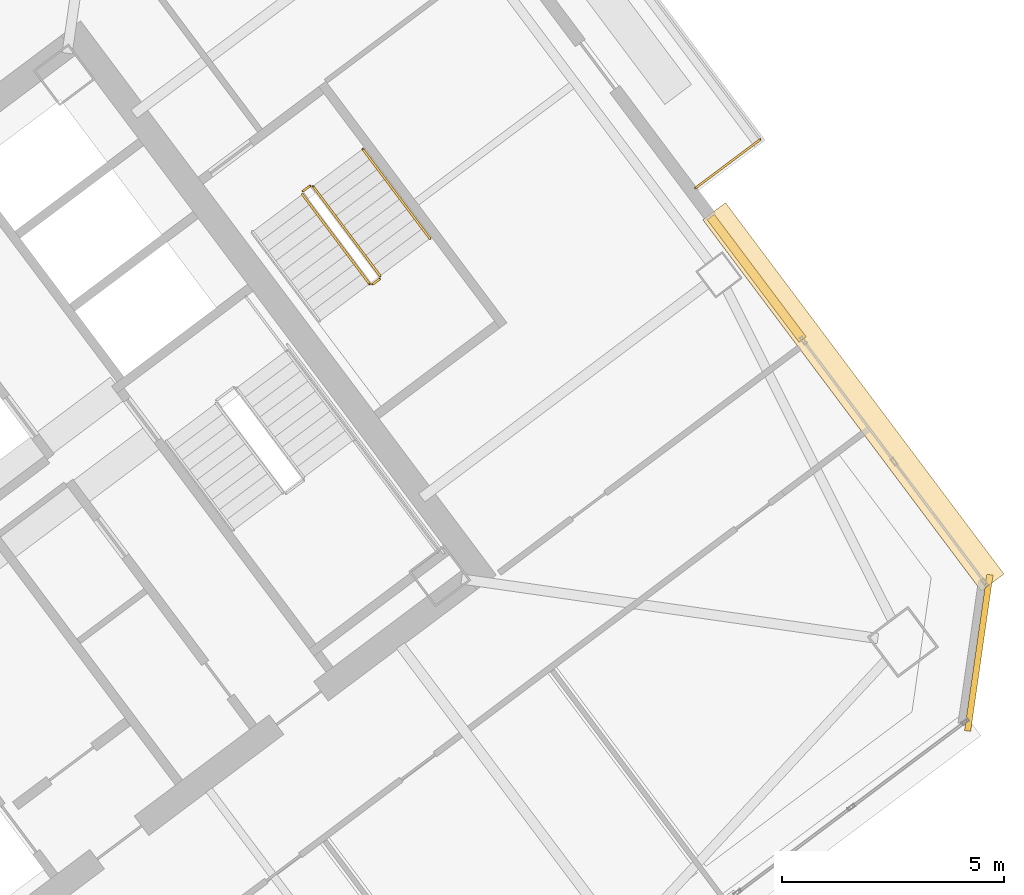
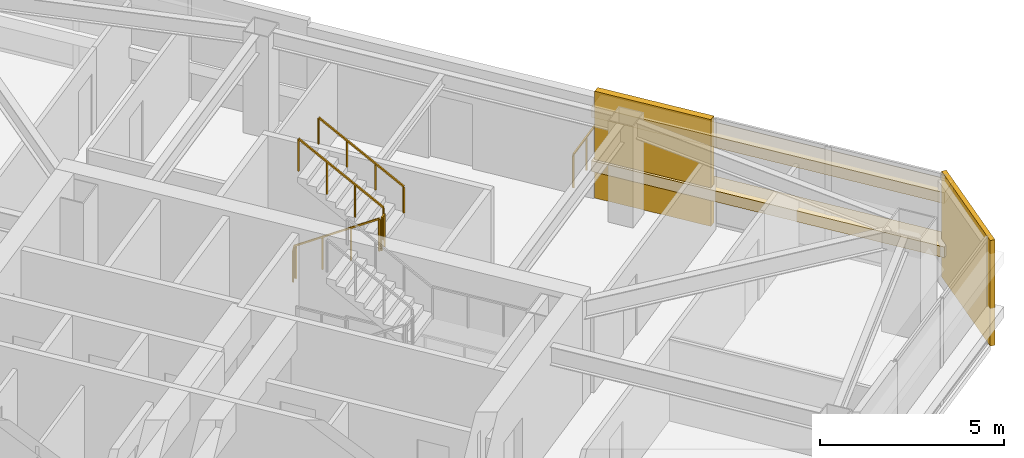
# One storey, part 42 of 43: 6 railings, 4 coverings.
"""IFC4 building model written with IfcOpenShell, lengths in metres."""

from ifc_helpers import new_model, si_unit, direction, frame, origin, origin_2d, place, context, subcontext, project, spatial, rectangle, extrude, material, layer, layer_set, type_object, element, save


model = new_model("IFC4")

# Units and contexts
model_context = context("Model", 3, precision=1e-05, world=origin(), true_north=direction((0.0, 1.0)))
body_context = subcontext(model_context, "Body", "Model", "MODEL_VIEW")
ifc_project = project(units=[si_unit("LENGTHUNIT", "METRE"), si_unit("AREAUNIT", "SQUARE_METRE"), si_unit("VOLUMEUNIT", "CUBIC_METRE"), si_unit("PLANEANGLEUNIT", "RADIAN"), si_unit("MASSUNIT", "GRAM", prefix="KILO")], contexts=[model_context])

# Site, building, storey
site_placement = place(None, origin())
site = spatial("IfcSite", under=ifc_project, at=site_placement, CompositionType="ELEMENT")
building_placement = place(site_placement, origin())
building = spatial("IfcBuilding", under=site, at=building_placement, Name="Tashvorn Skyway Center", CompositionType="ELEMENT")
storey_placement = place(building_placement, frame((0.0, 0.0, 185.39990234375)))
storey = spatial("IfcBuildingStorey", under=building, at=storey_placement, Name="L50", CompositionType="ELEMENT", Elevation=185.39990234375)

# Coverings
ifc_material_1 = material(Name="Precast concrete C40/50", Category="concrete")
ifc_layer_1 = layer(ifc_material_1, 0.199951171875)
ifc_layer_set_1 = layer_set([ifc_layer_1], Name="Precast concrete C40/50")
covering_type_1 = type_object("IfcCoveringType", Name="COV-BRACE-CLAD", PredefinedType="CLADDING", material=ifc_layer_set_1)
covering_1_placement = place(storey_placement, frame((131.007080078125, 37.290771484375, 0.0), z_axis=(0.0, 0.0, 1.0), x_axis=(0.600000004945, -0.799999996291, 0.0)))
element("IfcCovering", 1, at=covering_1_placement, inside=storey, type_object=covering_type_1, Name="Tower 2 L50 East Curtain Wall R Mega-Brace Cladding Band 1", PredefinedType="CLADDING", context=body_context, shape_type="SweptSolid", body=[
    extrude(rectangle(XDim=3.443359375, YDim=0.199951171875, at=origin_2d()), origin(), (0.0, 0.0, 1.0), 3.550048828125),
])
ifc_material_2 = material(Name="Perforated ceramic-coated bronze aluminium solar screen", Category="aluminium")
ifc_layer_2 = layer(ifc_material_2, 0.85009765625)
ifc_layer_set_2 = layer_set([ifc_layer_2], Name="Perforated ceramic-coated bronze aluminium solar screen")
covering_type_2 = type_object("IfcCoveringType", Name="COV-SOLAR-BAND", PredefinedType="CLADDING", material=ifc_layer_set_2)
for number, where, z_axis, x_axis, name in (
    (2, (133.18505859375, 34.6201171875, 0.919921875), (0.0, 0.0, 1.0), (0.600000004945, -0.799999996291, 0.0), "L50 Perforated Ceramic-Metal Solar Screen Louvre Band East 1"),
    (3, (133.18505859375, 34.6201171875, 2.72021484375), (0.0, 0.0, 1.0), (0.600000004945, -0.799999996291, 0.0), "L50 Perforated Ceramic-Metal Solar Screen Louvre Band East 2"),
):
    element("IfcCovering", number, at=place(storey_placement, frame(where, z_axis=z_axis, x_axis=x_axis)), inside=storey, type_object=covering_type_2, Name=name, PredefinedType="CLADDING", context=body_context, shape_type="SweptSolid", body=[
        extrude(rectangle(XDim=10.449951171875, YDim=0.639892578125, at=origin_2d()), origin(), (0.0, 0.0, 1.0), 0.360107421875),
    ])
ifc_layer_3 = layer(ifc_material_1, 0.35009765625)
ifc_layer_set_3 = layer_set([ifc_layer_3], Name="Precast concrete C40/50")
covering_type_3 = type_object("IfcCoveringType", Name="COV-STONE-TRIM", PredefinedType="CLADDING", material=ifc_layer_set_3)
covering_2_placement = place(storey_placement, frame((136.008056640625, 28.85595703125, 0.02001953125), z_axis=(0.0, 0.0, 1.0), x_axis=(0.141421350118, 0.989949494535, 0.0)))
element("IfcCovering", 4, at=covering_2_placement, inside=storey, type_object=covering_type_3, Name="Tower 2 L50 SE Mojave Limestone Corner Quoin", PredefinedType="CLADDING", context=body_context, shape_type="SweptSolid", body=[
    extrude(rectangle(XDim=3.55419921875, YDim=0.139892578125, at=origin_2d()), origin(), (0.0, 0.0, 1.0), 3.510009765625),
])

# Railings
ifc_material_3 = material(Name="Galvanized steel S355", Category="steel")
railing_type_1 = type_object("IfcRailingType", Name="RAIL-GUARD-1120", PredefinedType="GUARDRAIL", material=ifc_material_3)
railing_1_placement = place(storey_placement, frame((129.632080078125, 39.323974609375, 0.0)))
element("IfcRailing", 5, at=railing_1_placement, inside=storey, type_object=railing_type_1, Name="L50 Tower 2 Terrace Guardrail 01", PredefinedType="GUARDRAIL", context=body_context, shape_type="SweptSolid", body=[
    extrude(rectangle(XDim=0.048095703125, YDim=0.048095703125, at=origin_2d()), frame((0.0, 0.0, 1.09619140625), z_axis=(0.799951702488, 0.600064391284, 0.0), x_axis=(-0.600064391284, 0.799951702488, 0.0)), (0.0, 0.0, 1.0), 1.81982421875),
    extrude(rectangle(XDim=0.0419921875, YDim=0.0419921875, at=origin_2d()), origin(), (0.0, 0.0, 1.0), 1.072021484375),
    extrude(rectangle(XDim=0.0419921875, YDim=0.0419921875, at=origin_2d()), frame((0.72802734375, 0.5458984375, 0.0)), (0.0, 0.0, 1.0), 1.072021484375),
    extrude(rectangle(XDim=0.0419921875, YDim=0.0419921875, at=origin_2d()), frame((1.455810546875, 1.092041015625, 0.0)), (0.0, 0.0, 1.0), 1.072021484375),
])
ifc_material_4 = material(Name="Brushed stainless steel 316", Category="steel")
railing_type_2 = type_object("IfcRailingType", Name="RAIL-HAND-920", PredefinedType="HANDRAIL", material=ifc_material_4)
railing_2_placement = place(storey_placement, frame((123.64794921875, 38.18603515625, 1.95263671875)))
element("IfcRailing", 6, at=railing_2_placement, inside=storey, type_object=railing_type_2, Name="L50 ST-T2-3 stair handrail 2", PredefinedType="HANDRAIL", context=body_context, shape_type="SweptSolid", body=[
    extrude(rectangle(XDim=0.048095703125, YDim=0.048095703125, at=origin_2d()), frame((0.0, 0.0, 0.8759765625), z_axis=(-0.506768818287, 0.675664481285, 0.535409071218), x_axis=(-0.79998837352, -0.60001550166, 0.0)), (0.0, 0.0, 1.0), 2.983642578125),
    extrude(rectangle(XDim=0.0419921875, YDim=0.0419921875, at=origin_2d()), origin(), (0.0, 0.0, 1.0), 0.851806640625),
    extrude(rectangle(XDim=0.0419921875, YDim=0.0419921875, at=origin_2d()), frame((-0.50390625, 0.671875, 0.532470703125)), (0.0, 0.0, 1.0), 0.851806640625),
    extrude(rectangle(XDim=0.0419921875, YDim=0.0419921875, at=origin_2d()), frame((-1.008056640625, 1.343994140625, 1.06494140625)), (0.0, 0.0, 1.0), 0.851806640625),
    extrude(rectangle(XDim=0.0419921875, YDim=0.0419921875, at=origin_2d()), frame((-1.511962890625, 2.015869140625, 1.597412109375)), (0.0, 0.0, 1.0), 0.851806640625),
])
ifc_material_5 = material(Name="Painted galvanized steel S355", Category="steel")
railing_type_3 = type_object("IfcRailingType", Name="RAIL-STGUARD-1100", PredefinedType="GUARDRAIL", material=ifc_material_5)
railing_3_placement = place(storey_placement, frame((120.77587890625, 39.181884765625, 0.177490234375)))
element("IfcRailing", 7, at=railing_3_placement, inside=storey, type_object=railing_type_3, Name="L50 ST-T2-3 stair guard 1", PredefinedType="GUARDRAIL", context=body_context, shape_type="SweptSolid", body=[
    extrude(rectangle(XDim=0.048095703125, YDim=0.048095703125, at=origin_2d()), frame((0.0, 0.0, 1.076171875), z_axis=(0.506807425148, -0.675606863004, 0.535445235739), x_axis=(0.799941867976, 0.600077501544, 0.0)), (0.0, 0.0, 1.0), 2.98388671875),
    extrude(rectangle(XDim=0.0419921875, YDim=0.0419921875, at=origin_2d()), origin(), (0.0, 0.0, 1.0), 1.052001953125),
    extrude(rectangle(XDim=0.0419921875, YDim=0.0419921875, at=origin_2d()), frame((0.504150390625, -0.671875, 0.532470703125)), (0.0, 0.0, 1.0), 1.052001953125),
    extrude(rectangle(XDim=0.0419921875, YDim=0.0419921875, at=origin_2d()), frame((1.008056640625, -1.343994140625, 1.065185546875)), (0.0, 0.0, 1.0), 1.052001953125),
    extrude(rectangle(XDim=0.0419921875, YDim=0.0419921875, at=origin_2d()), frame((1.51220703125, -2.015869140625, 1.59765625)), (0.0, 0.0, 1.0), 1.052001953125),
])
railing_4_placement = place(storey_placement, frame((122.35791015625, 37.156005859375, 1.775146484375)))
element("IfcRailing", 8, at=railing_4_placement, inside=storey, type_object=railing_type_3, Name="L50 ST-T2-3 stair guard 2", PredefinedType="GUARDRAIL", context=body_context, shape_type="SweptSolid", body=[
    extrude(rectangle(XDim=0.048095703125, YDim=0.048095703125, at=origin_2d()), frame((0.0, 0.0, 1.076171875), z_axis=(0.800585412921, 0.599218655098, 0.0), x_axis=(-0.599218655098, 0.800585412921, 0.0)), (0.0, 0.0, 1.0), 0.199951171875),
    extrude(rectangle(XDim=0.0419921875, YDim=0.0419921875, at=origin_2d()), origin(), (0.0, 0.0, 1.0), 1.052001953125),
    extrude(rectangle(XDim=0.0419921875, YDim=0.0419921875, at=origin_2d()), frame((0.16015625, 0.119873046875, 0.0)), (0.0, 0.0, 1.0), 1.052001953125),
])
railing_5_placement = place(storey_placement, frame((122.528076171875, 37.345947265625, 1.95263671875)))
element("IfcRailing", 9, at=railing_5_placement, inside=storey, type_object=railing_type_3, Name="L50 ST-T2-3 stair guard 3", PredefinedType="GUARDRAIL", context=body_context, shape_type="SweptSolid", body=[
    extrude(rectangle(XDim=0.048095703125, YDim=0.048095703125, at=origin_2d()), frame((0.0, 0.0, 1.076171875), z_axis=(-0.506740800098, 0.675708949977, 0.535379469569), x_axis=(-0.800023250257, -0.599968998406, 0.0)), (0.0, 0.0, 1.0), 2.983642578125),
    extrude(rectangle(XDim=0.0419921875, YDim=0.0419921875, at=origin_2d()), origin(), (0.0, 0.0, 1.0), 1.052001953125),
    extrude(rectangle(XDim=0.0419921875, YDim=0.0419921875, at=origin_2d()), frame((-0.50390625, 0.672119140625, 0.532470703125)), (0.0, 0.0, 1.0), 1.052001953125),
    extrude(rectangle(XDim=0.0419921875, YDim=0.0419921875, at=origin_2d()), frame((-1.008056640625, 1.343994140625, 1.06494140625)), (0.0, 0.0, 1.0), 1.052001953125),
    extrude(rectangle(XDim=0.0419921875, YDim=0.0419921875, at=origin_2d()), frame((-1.511962890625, 2.01611328125, 1.597412109375)), (0.0, 0.0, 1.0), 1.052001953125),
])
railing_6_placement = place(storey_placement, frame((120.785888671875, 39.251953125, 0.0)))
element("IfcRailing", 10, at=railing_6_placement, inside=storey, type_object=railing_type_3, Name="L50 ST-T2-3 stair guard 4", PredefinedType="GUARDRAIL", context=body_context, shape_type="SweptSolid", body=[
    extrude(rectangle(XDim=0.048095703125, YDim=0.048095703125, at=origin_2d()), frame((0.0, 0.0, 1.076171875), z_axis=(0.8, 0.6, 0.0), x_axis=(-0.6, 0.8, 0.0)), (0.0, 0.0, 1.0), 0.2001953125),
    extrude(rectangle(XDim=0.0419921875, YDim=0.0419921875, at=origin_2d()), origin(), (0.0, 0.0, 1.0), 1.052001953125),
    extrude(rectangle(XDim=0.0419921875, YDim=0.0419921875, at=origin_2d()), frame((0.16015625, 0.1201171875, 0.0)), (0.0, 0.0, 1.0), 1.052001953125),
])

save(model, "model.ifc")
